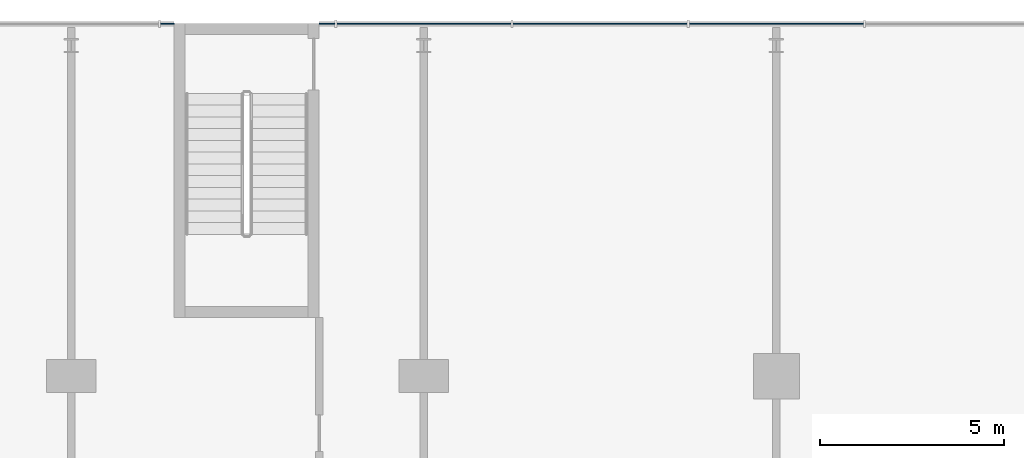
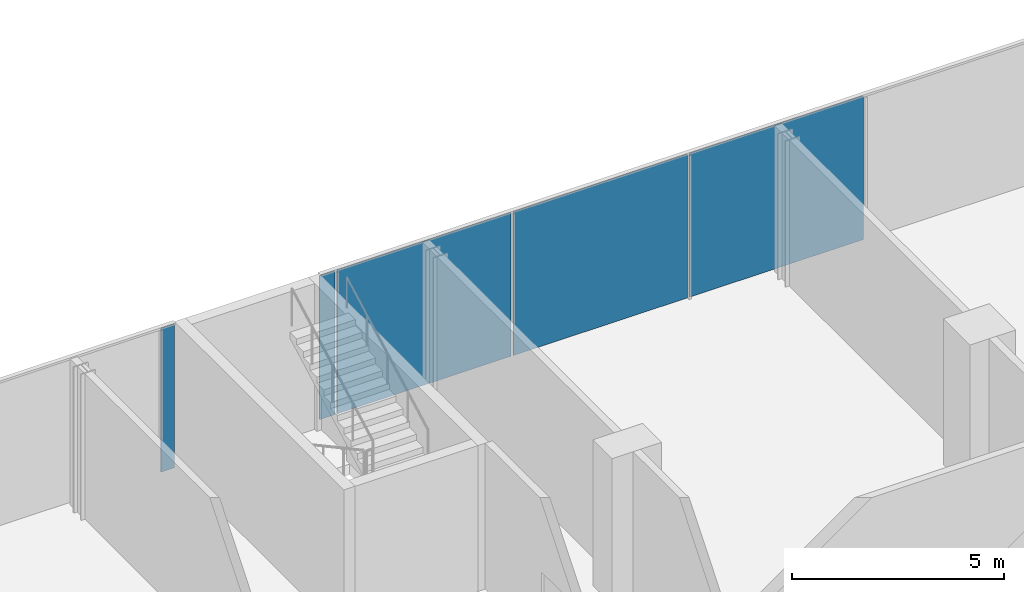
# One storey, part 27 of 43: 5 plates, 1 element without a shape of its own.
"""IFC4 building model written with IfcOpenShell, lengths in metres."""

import ifcopenshell
import ifcopenshell.guid

model = None  # the IFC model being written
_history = None  # IfcOwnerHistory: only IFC2X3 demands one
_inside = {}  # id of a spatial element -> (the spatial element, [elements in it])
_under = {}  # id of a project, library or spatial element -> (it, [spatial elements below it])
_declared = {}  # id of a project -> (the project, [libraries it declares])
_typed = {}  # id of a type object -> (the type object, [elements of that type])
_made_of = {}  # id of a material, layer set ... -> (it, [elements and type objects made of it])


def new_model(schema):
    """Start an empty IFC model of exactly this schema.

    Asked for "IFC4X3", IfcOpenShell would pick the latest addendum, in which some entities
    have other attributes; the version numbers below select the first issue.
    IFC2X3 requires an IfcOwnerHistory on every rooted entity: one is made here for all.
    """
    global model, _history
    if schema == "IFC4X3":
        model = ifcopenshell.file(schema_version=(4, 3, 0, 0))
    else:
        model = ifcopenshell.file(schema=schema)
    _inside.clear()
    _under.clear()
    _declared.clear()
    _typed.clear()
    _made_of.clear()
    _history = None
    if model.schema == "IFC2X3":
        org = make("IfcOrganization", Name="unknown")
        user = make(
            "IfcPersonAndOrganization",
            ThePerson=make("IfcPerson", FamilyName="unknown"),
            TheOrganization=org,
        )
        app = make(
            "IfcApplication",
            ApplicationDeveloper=org,
            Version="unknown",
            ApplicationFullName="unknown",
            ApplicationIdentifier="unknown",
        )
        _history = make(
            "IfcOwnerHistory",
            OwningUser=user,
            OwningApplication=app,
            ChangeAction="ADDED",
            CreationDate=0,
        )
    return model


def make(cls, **values):
    """One entity of the class cls with the attributes given. An attribute that is None is left unset."""
    return model.create_entity(
        cls, **{name: value for name, value in values.items() if value is not None}
    )


def rooted(cls, **values):
    """An entity with a GlobalId (a new one), such as an element, a storey or a relation."""
    return make(cls, GlobalId=ifcopenshell.guid.new(), OwnerHistory=_history, **values)


def si_unit(unit_type, name, prefix=None):
    """IfcSIUnit, for example si_unit("LENGTHUNIT", "METRE", prefix="MILLI")."""
    return make("IfcSIUnit", UnitType=unit_type, Prefix=prefix, Name=name)


def assignment(units):
    """IfcUnitAssignment: the units of a project."""
    return None if units is None else make("IfcUnitAssignment", Units=units)


def point(xyz):
    """IfcCartesianPoint."""
    return None if xyz is None else make("IfcCartesianPoint", Coordinates=xyz)


def direction(xyz):
    """IfcDirection."""
    return None if xyz is None else make("IfcDirection", DirectionRatios=xyz)


def frame(location, z_axis=None, x_axis=None):
    """IfcAxis2Placement3D, a coordinate frame: its origin and axes. An axis left out is left unset."""
    return make(
        "IfcAxis2Placement3D",
        Location=point(location),
        Axis=direction(z_axis),
        RefDirection=direction(x_axis),
    )


def frame_2d(location, x_axis=None):
    """IfcAxis2Placement2D, a coordinate frame in the plane: its origin and x axis."""
    return make(
        "IfcAxis2Placement2D", Location=point(location), RefDirection=direction(x_axis)
    )


def origin():
    """The frame at (0, 0, 0) with its axes left unset."""
    return frame((0.0, 0.0, 0.0))


def origin_2d():
    """The frame at (0, 0) in the plane with its x axis left unset."""
    return frame_2d((0.0, 0.0))


def place(relative_to, where):
    """IfcLocalPlacement: puts the frame where relative to a parent placement (None: the world)."""
    return make(
        "IfcLocalPlacement", PlacementRelTo=relative_to, RelativePlacement=where
    )


def context(
    kind, dimensions, precision=None, world=None, true_north=None, identifier=None
):
    """IfcGeometricRepresentationContext, for example the 3D "Model" context."""
    return make(
        "IfcGeometricRepresentationContext",
        ContextIdentifier=identifier,
        ContextType=kind,
        CoordinateSpaceDimension=dimensions,
        Precision=precision,
        WorldCoordinateSystem=world,
        TrueNorth=true_north,
    )


def subcontext(parent, identifier, kind, view, scale=None):
    """IfcGeometricRepresentationSubContext, for example "Body" below "Model"."""
    return make(
        "IfcGeometricRepresentationSubContext",
        ContextIdentifier=identifier,
        ContextType=kind,
        ParentContext=parent,
        TargetScale=scale,
        TargetView=view,
    )


def project(units=None, contexts=None):
    """IfcProject with its units and contexts."""
    return rooted(
        "IfcProject",
        Name="project",
        RepresentationContexts=contexts,
        UnitsInContext=assignment(units),
    )


def spatial(cls, under=None, at=None, **own):
    """A site, building, storey or space (cls), placed at a placement, below another one or the project."""
    s = rooted(cls, ObjectPlacement=at, **own)
    if under is not None:
        _under.setdefault(under.id(), (under, []))[1].append(s)
    return s


def profile(cls, at=None, kind="AREA", **sizes):
    """A parametric profile (cls). Its sizes go by their IFC names, for example OverallWidth=200.0."""
    return make(cls, ProfileType=kind, Position=at, **sizes)


def rectangle(**sizes):
    """IfcRectangleProfileDef."""
    return profile("IfcRectangleProfileDef", **sizes)


def extrude(swept, where, along, depth):
    """IfcExtrudedAreaSolid: the profile swept, set in the frame where, extruded along a direction by depth."""
    return make(
        "IfcExtrudedAreaSolid",
        SweptArea=swept,
        Position=where,
        ExtrudedDirection=direction(along),
        Depth=depth,
    )


def shape(context_of_items, identifier, shape_type, items):
    """IfcShapeRepresentation: the items that make up one representation, for example the "Body"."""
    return make(
        "IfcShapeRepresentation",
        ContextOfItems=context_of_items,
        RepresentationIdentifier=identifier,
        RepresentationType=shape_type,
        Items=items,
    )


def material(Name=None, Category=None):
    """IfcMaterial."""
    return make("IfcMaterial", Name=Name, Category=Category)


def layer(
    of_material, thickness, ventilated=None, Name=None, Category=None, Priority=None
):
    """IfcMaterialLayer: one layer of a wall or slab, of a material (None: an air gap)."""
    return make(
        "IfcMaterialLayer",
        Material=of_material,
        LayerThickness=thickness,
        IsVentilated=ventilated,
        Name=Name,
        Category=Category,
        Priority=Priority,
    )


def layer_set(layers, Name=None):
    """IfcMaterialLayerSet."""
    return make("IfcMaterialLayerSet", MaterialLayers=layers, LayerSetName=Name)


def made_of(thing, what):
    """Note that an element or type object is made of a material, layer set ...; save() writes the relation."""
    if what is not None:
        _made_of.setdefault(what.id(), (what, []))[1].append(thing)
    return thing


def type_object(cls, material=None, **own):
    """A type object (cls), such as IfcWallType, which elements share."""
    return made_of(rooted(cls, **own), material)


def element(
    cls,
    number,
    at=None,
    inside=None,
    cuts=None,
    type_object=None,
    material=None,
    context=None,
    identifier="Body",
    shape_type=None,
    held_by="IfcProductDefinitionShape",
    body=None,
    shapes=None,
    **own,
):
    """One element of the class cls, such as IfcWall. Its Tag is "e" and its number.

    at: its placement. inside: the storey or other place that contains it. cuts: it is an
    opening in that element (IfcRelVoidsElement). A single representation is given by context,
    identifier, shape_type and body (its items); several are given by shapes. held_by: the class
    of the entity that holds the representations. save() writes the other relations.
    """
    e = rooted(cls, Tag="e%d" % number, ObjectPlacement=at, **own)
    if body is not None:
        shapes = [shape(context, identifier, shape_type, body)]
    if shapes is not None:
        e.Representation = make(held_by, Representations=shapes)
    if inside is not None:
        _inside.setdefault(inside.id(), (inside, []))[1].append(e)
    if cuts is not None:
        rooted(
            "IfcRelVoidsElement", RelatingBuildingElement=cuts, RelatedOpeningElement=e
        )
    if type_object is not None:
        _typed.setdefault(type_object.id(), (type_object, []))[1].append(e)
    return made_of(e, material)


def aggregate(whole, parts):
    """IfcRelAggregates: a whole, such as a stair, and the parts it consists of."""
    return rooted("IfcRelAggregates", RelatingObject=whole, RelatedObjects=parts)


def save(model, path):
    """Write the relations noted so far, then the file.

    IfcRelAggregates (storeys below a building ...), IfcRelContainedInSpatialStructure (elements
    in a storey), IfcRelDefinesByType, IfcRelAssociatesMaterial and IfcRelDeclares: one each for
    every whole, place, type object, material and project.
    """
    for whole, parts in _under.values():
        aggregate(whole, parts)
    for where, things in _inside.values():
        rooted(
            "IfcRelContainedInSpatialStructure",
            RelatedElements=things,
            RelatingStructure=where,
        )
    for kind, things in _typed.values():
        rooted("IfcRelDefinesByType", RelatedObjects=things, RelatingType=kind)
    for what, things in _made_of.values():
        rooted("IfcRelAssociatesMaterial", RelatedObjects=things, RelatingMaterial=what)
    for by, libraries in _declared.values():
        rooted("IfcRelDeclares", RelatingContext=by, RelatedDefinitions=libraries)
    model.write(path)


model = new_model("IFC4")

# Units and contexts
model_context = context("Model", 3, precision=1e-05, world=origin(), true_north=direction((0.0, 1.0)))
body_context = subcontext(model_context, "Body", "Model", "MODEL_VIEW")
ifc_project = project(units=[si_unit("LENGTHUNIT", "METRE"), si_unit("AREAUNIT", "SQUARE_METRE"), si_unit("VOLUMEUNIT", "CUBIC_METRE"), si_unit("PLANEANGLEUNIT", "RADIAN"), si_unit("MASSUNIT", "GRAM", prefix="KILO")], contexts=[model_context])

# Site, building, storey
site_placement = place(None, origin())
site = spatial("IfcSite", under=ifc_project, at=site_placement, CompositionType="ELEMENT")
building_placement = place(site_placement, origin())
building = spatial("IfcBuilding", under=site, at=building_placement, Name="Madar Terraces", CompositionType="ELEMENT")
storey_placement = place(building_placement, frame((0.0, 0.0, 10.5)))
storey = spatial("IfcBuildingStorey", under=building, at=storey_placement, Name="L02", CompositionType="ELEMENT", Elevation=10.5)

# Curtain wall, plates
ifc_material_1 = material(Name="Glass, clear low-iron, with black aluminium frame", Category="aluminium")
ifc_layer_1 = layer(ifc_material_1, 0.199951171875)
ifc_layer_set_1 = layer_set([ifc_layer_1], Name="Facade curtain wall, shopfront glazing")
curtain_wall_type = type_object("IfcCurtainWallType", Name="Facade curtain wall, shopfront glazing", PredefinedType="NOTDEFINED", material=ifc_layer_set_1)
curtain_wall_placement = place(storey_placement, origin())
curtain_wall = element("IfcCurtainWall", 1, at=curtain_wall_placement, inside=storey, type_object=curtain_wall_type, Name="Outer skin curtain wall north bay 1", PredefinedType="NOTDEFINED")
ifc_material_2 = material(Name="Glass, ceramic frit dark grey", Category="glass")
ifc_layer_2 = layer(ifc_material_2, 0.028076171875)
ifc_layer_set_2 = layer_set([ifc_layer_2], Name="Facade glass panel 28")
plate_type = type_object("IfcPlateType", Name="Facade glass panel 28", PredefinedType="CURTAIN_PANEL", material=ifc_layer_set_2)
plate_1_placement = place(storey_placement, frame((52.800048828125, 57.60009765625, 0.0), z_axis=(0.0, 0.0, 1.0), x_axis=(-1.0, 0.0, 0.0)))
plate_1 = element("IfcPlate", 2, at=plate_1_placement, type_object=plate_type, Name="Panel 3", PredefinedType="CURTAIN_PANEL", context=body_context, shape_type="SweptSolid", body=[
    extrude(rectangle(XDim=4.739990234375, YDim=0.028076171875, at=origin_2d()), origin(), (0.0, 0.0, 1.0), 4.139892578125),
])
plate_2_placement = place(storey_placement, frame((48.0, 57.60009765625, 0.0), z_axis=(0.0, 0.0, 1.0), x_axis=(-1.0, 0.0, 0.0)))
plate_2 = element("IfcPlate", 3, at=plate_2_placement, type_object=plate_type, Name="Panel 4", PredefinedType="CURTAIN_PANEL", context=body_context, shape_type="SweptSolid", body=[
    extrude(rectangle(XDim=4.739990234375, YDim=0.028076171875, at=origin_2d()), origin(), (0.0, 0.0, 1.0), 4.139892578125),
])
plate_3_placement = place(storey_placement, frame((43.199951171875, 57.60009765625, 0.0), z_axis=(0.0, 0.0, 1.0), x_axis=(-1.0, 0.0, 0.0)))
plate_3 = element("IfcPlate", 4, at=plate_3_placement, type_object=plate_type, Name="Panel 5", PredefinedType="CURTAIN_PANEL", context=body_context, shape_type="SweptSolid", body=[
    extrude(rectangle(XDim=4.739990234375, YDim=0.028076171875, at=origin_2d()), origin(), (0.0, 0.0, 1.0), 4.139892578125),
])
plate_4_placement = place(storey_placement, frame((40.56005859375, 57.60009765625, 0.0), z_axis=(0.0, 0.0, 1.0), x_axis=(-1.0, 0.0, 0.0)))
plate_4 = element("IfcPlate", 5, at=plate_4_placement, type_object=plate_type, Name="Panel 6", PredefinedType="CURTAIN_PANEL", context=body_context, shape_type="SweptSolid", body=[
    extrude(rectangle(XDim=0.419921875, YDim=0.028076171875, at=origin_2d()), origin(), (0.0, 0.0, 1.0), 4.139892578125),
])
plate_5_placement = place(storey_placement, frame((36.215087890625, 57.60009765625, 0.0), z_axis=(0.0, 0.0, 1.0), x_axis=(-1.0, 0.0, 0.0)))
plate_5 = element("IfcPlate", 6, at=plate_5_placement, type_object=plate_type, Name="Panel 7", PredefinedType="CURTAIN_PANEL", context=body_context, shape_type="SweptSolid", body=[
    extrude(rectangle(XDim=0.3701171875, YDim=0.028076171875, at=origin_2d()), origin(), (0.0, 0.0, 1.0), 4.139892578125),
])
aggregate(curtain_wall, [plate_1, plate_2, plate_3, plate_4, plate_5])

save(model, "model.ifc")
